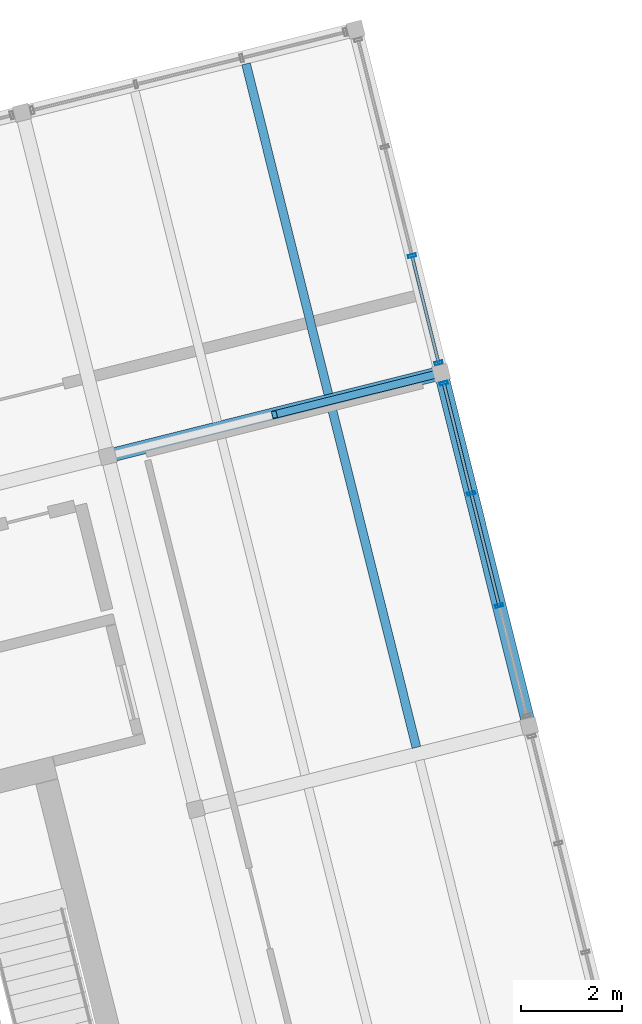
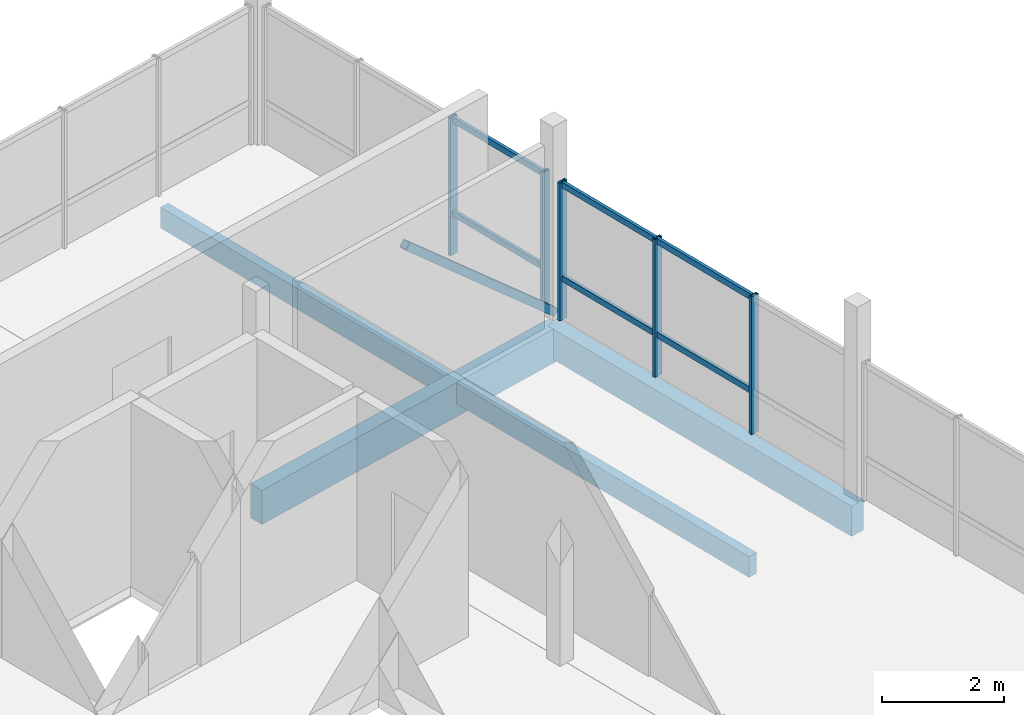
# One storey, part 18 of 25: 12 members, 4 beams, 2 elements without a shape of their own.
"""IFC4 building model written with IfcOpenShell, lengths in metres."""

from ifc_helpers import new_model, si_unit, direction, frame, origin, origin_2d, place, context, subcontext, project, spatial, rectangle, hollow_rectangle, extrude, material, layer, layer_set, material_profile, profile_set, type_object, element, aggregate, save


model = new_model("IFC4")

# Units and contexts
model_context = context("Model", 3, precision=1e-05, world=origin(), true_north=direction((0.0, 1.0)))
body_context = subcontext(model_context, "Body", "Model", "MODEL_VIEW")
ifc_project = project(units=[si_unit("LENGTHUNIT", "METRE"), si_unit("AREAUNIT", "SQUARE_METRE"), si_unit("VOLUMEUNIT", "CUBIC_METRE"), si_unit("PLANEANGLEUNIT", "RADIAN"), si_unit("MASSUNIT", "GRAM", prefix="KILO")], contexts=[model_context])

# Site, building, storey
site_placement = place(None, origin())
site = spatial("IfcSite", under=ifc_project, at=site_placement, CompositionType="ELEMENT")
building_placement = place(site_placement, origin())
building = spatial("IfcBuilding", under=site, at=building_placement, Name="Meriwether Solvik Hall", CompositionType="ELEMENT")
storey_placement = place(building_placement, frame((0.0, 0.0, 53.39990234375)))
storey = spatial("IfcBuildingStorey", under=building, at=storey_placement, Name="L13", CompositionType="ELEMENT", Elevation=53.39990234375)

# Beams
ifc_material_1 = material(Name="Glulam Douglas-Fir 24F-V8 GL28h", Category="wood")
ifc_material_profile_1 = material_profile(ifc_material_1, rectangle(XDim=0.27294921875, YDim=0.610107421875, at=origin_2d()), Name="GLB-273X610")
ifc_profile_set_1 = profile_set([ifc_material_profile_1], Name="Glulam Douglas-Fir 24F-V8 GL28h")
beam_type_1 = type_object("IfcBeamType", Name="BM-GL-273X610", PredefinedType="SPANDREL", material=ifc_profile_set_1)
beam_1_placement = place(storey_placement, frame((100.192138671875, 63.29931640625, -0.48486328125), z_axis=(-0.241937193493, 0.970291911955, 0.0), x_axis=(-0.970291911955, -0.241937193493, 0.0)))
element("IfcBeam", 1, at=beam_1_placement, inside=storey, type_object=beam_type_1, Name="Tower Girder T6:TC-TD (L13)", PredefinedType="SPANDREL", context=body_context, shape_type="SweptSolid", body=[
    extrude(rectangle(XDim=0.27294921875, YDim=0.610107421875, at=origin_2d()), origin(), (0.0, 0.0, 1.0), 7.199951171875),
])
ifc_material_2 = material(Name="Glulam Douglas-Fir 24F-V8 GL28h", Category="wood")
ifc_material_profile_2 = material_profile(ifc_material_2, rectangle(XDim=0.27294921875, YDim=0.68505859375, at=origin_2d()), Name="GLB-273X685")
ifc_profile_set_2 = profile_set([ifc_material_profile_2], Name="Glulam Douglas-Fir 24F-V8 GL28h")
beam_type_2 = type_object("IfcBeamType", Name="BM-GL-273X685", PredefinedType="BEAM", material=ifc_profile_set_2)
beam_2_placement = place(storey_placement, frame((91.852294921875, 68.640380859375, -0.5224609375), z_axis=(0.970296478685, 0.241918877831, 0.0), x_axis=(-0.241918877831, 0.970296478685, 0.0)))
element("IfcBeam", 2, at=beam_2_placement, inside=storey, type_object=beam_type_2, Name="Tower Girder TD:T5-T6 (L13)", PredefinedType="BEAM", context=body_context, shape_type="SweptSolid", body=[
    extrude(rectangle(XDim=0.27294921875, YDim=0.68505859375, at=origin_2d()), origin(), (0.0, 0.0, 1.0), 6.7998046875),
])

# Curtain wall, members
ifc_material_3 = material(Name="Thermally Broken Anodised Aluminium 6063-T6 and Low-E Glass", Category="aluminium")
ifc_layer_1 = layer(ifc_material_3, 0.179931640625)
ifc_layer_set_1 = layer_set([ifc_layer_1], Name="Thermally Broken Anodised Aluminium 6063-T6 and Low-E Glass")
curtain_wall_type_1 = type_object("IfcCurtainWallType", Name="CW-UNIT-G", PredefinedType="USERDEFINED", material=ifc_layer_set_1)
curtain_wall_1_placement = place(storey_placement, origin())
curtain_wall_1 = element("IfcCurtainWall", 3, at=curtain_wall_1_placement, inside=storey, type_object=curtain_wall_type_1, Name="Curtain Wall E1_B2 (L13)", ObjectType="UNITISED CURTAIN WALL", PredefinedType="USERDEFINED")
ifc_material_4 = material(Name="Anodised Aluminium 6063-T6", Category="aluminium")
ifc_material_profile_3 = material_profile(ifc_material_4, hollow_rectangle(XDim=0.06005859375, YDim=0.159912109375, WallThickness=0.00390625, at=origin_2d()), Name="CWM-60X160")
ifc_profile_set_3 = profile_set([ifc_material_profile_3], Name="Anodised Aluminium 6063-T6")
member_type_1 = type_object("IfcMemberType", Name="CW-MUL-60X160", PredefinedType="MULLION", material=ifc_profile_set_3)
member_1_placement = place(storey_placement, frame((98.50048828125, 70.083984375, 0.0), z_axis=(0.0, 0.0, 1.0), x_axis=(0.241921877598, -0.970295730764, 0.0)))
member_1 = element("IfcMember", 4, at=member_1_placement, type_object=member_type_1, Name="Curtain Wall Mullion 1", PredefinedType="MULLION", context=body_context, shape_type="SweptSolid", body=[
    extrude(hollow_rectangle(XDim=0.06005859375, YDim=0.159912109375, WallThickness=0.00390625, at=origin_2d()), origin(), (0.0, 0.0, 1.0), 2.77001953125),
])
member_2_placement = place(storey_placement, frame((99.044677734375, 67.90185546875, 0.0), z_axis=(0.0, 0.0, 1.0), x_axis=(0.241921877598, -0.970295730764, 0.0)))
member_2 = element("IfcMember", 5, at=member_2_placement, type_object=member_type_1, Name="Curtain Wall Mullion 2", PredefinedType="MULLION", context=body_context, shape_type="SweptSolid", body=[
    extrude(hollow_rectangle(XDim=0.06005859375, YDim=0.159912109375, WallThickness=0.00390625, at=origin_2d()), origin(), (0.0, 0.0, 1.0), 2.77001953125),
])
member_3_placement = place(storey_placement, frame((99.597900390625, 65.682861328125, 0.0), z_axis=(0.0, 0.0, 1.0), x_axis=(0.241921877598, -0.970295730764, 0.0)))
member_3 = element("IfcMember", 6, at=member_3_placement, type_object=member_type_1, Name="Curtain Wall Mullion 3", PredefinedType="MULLION", context=body_context, shape_type="SweptSolid", body=[
    extrude(hollow_rectangle(XDim=0.06005859375, YDim=0.159912109375, WallThickness=0.00390625, at=origin_2d()), origin(), (0.0, 0.0, 1.0), 2.77001953125),
])

ifc_material_5 = material(Name="Thermally Broken Anodised Aluminium 6063-T6 and Low-E Glass", Category="aluminium")
ifc_layer_2 = layer(ifc_material_5, 0.179931640625)
ifc_layer_set_2 = layer_set([ifc_layer_2], Name="Thermally Broken Anodised Aluminium 6063-T6 and Low-E Glass")
curtain_wall_type_2 = type_object("IfcCurtainWallType", Name="CW-UNIT-A", PredefinedType="USERDEFINED", material=ifc_layer_set_2)
curtain_wall_2_placement = place(storey_placement, origin())
curtain_wall_2 = element("IfcCurtainWall", 7, at=curtain_wall_2_placement, inside=storey, type_object=curtain_wall_type_2, Name="Curtain Wall E1_B3 (L13)", ObjectType="UNITISED CURTAIN WALL", PredefinedType="USERDEFINED")
member_4_placement = place(storey_placement, frame((97.8720703125, 72.604248046875, 0.0), z_axis=(0.0, 0.0, 1.0), x_axis=(0.241921960765, -0.970295710028, 0.0)))
member_4 = element("IfcMember", 8, at=member_4_placement, type_object=member_type_1, Name="Curtain Wall Mullion 3", PredefinedType="MULLION", context=body_context, shape_type="SweptSolid", body=[
    extrude(hollow_rectangle(XDim=0.06005859375, YDim=0.159912109375, WallThickness=0.00390625, at=origin_2d()), origin(), (0.0, 0.0, 1.0), 2.77001953125),
])
member_5_placement = place(storey_placement, frame((98.400146484375, 70.48681640625, 0.0), z_axis=(0.0, 0.0, 1.0), x_axis=(0.241921960765, -0.970295710028, 0.0)))
member_5 = element("IfcMember", 9, at=member_5_placement, type_object=member_type_1, Name="Curtain Wall Mullion 4", PredefinedType="MULLION", context=body_context, shape_type="SweptSolid", body=[
    extrude(hollow_rectangle(XDim=0.06005859375, YDim=0.159912109375, WallThickness=0.00390625, at=origin_2d()), origin(), (0.0, 0.0, 1.0), 2.77001953125),
])

# Member
ifc_material_6 = material(Name="Anodised Aluminium 6063-T6", Category="aluminium")
ifc_material_profile_4 = material_profile(ifc_material_6, hollow_rectangle(XDim=0.06005859375, YDim=0.1201171875, WallThickness=0.00390625, at=origin_2d()), Name="CWT-60X120")
ifc_profile_set_4 = profile_set([ifc_material_profile_4], Name="Anodised Aluminium 6063-T6")
member_type_2 = type_object("IfcMemberType", Name="CW-TRN-60X120", PredefinedType="USERDEFINED", material=ifc_profile_set_4)
member_6_placement = place(storey_placement, frame((98.50048828125, 70.083984375, 0.8310546875), z_axis=(0.241973642025, -0.970282822978, 0.0), x_axis=(0.970282822978, 0.241973642025, 0.0)))
member_6 = element("IfcMember", 10, at=member_6_placement, type_object=member_type_2, Name="Curtain Wall Transom 1-sill", ObjectType="TRANSOM", PredefinedType="USERDEFINED", context=body_context, shape_type="SweptSolid", body=[
    extrude(hollow_rectangle(XDim=0.06005859375, YDim=0.1201171875, WallThickness=0.00390625, at=origin_2d()), origin(), (0.0, 0.0, 1.0), 2.2490234375),
])

member_7_placement = place(storey_placement, frame((98.50048828125, 70.083984375, 2.710205078125), z_axis=(0.241973642025, -0.970282822978, 0.0), x_axis=(0.970282822978, 0.241973642025, 0.0)))
member_7 = element("IfcMember", 11, at=member_7_placement, type_object=member_type_2, Name="Curtain Wall Transom 1-head", ObjectType="TRANSOM", PredefinedType="USERDEFINED", context=body_context, shape_type="SweptSolid", body=[
    extrude(hollow_rectangle(XDim=0.06005859375, YDim=0.1201171875, WallThickness=0.00390625, at=origin_2d()), origin(), (0.0, 0.0, 1.0), 2.2490234375),
])

member_8_placement = place(storey_placement, frame((99.044677734375, 67.90185546875, 0.8310546875), z_axis=(0.241907601634, -0.97029929005, 0.0), x_axis=(0.97029929005, 0.241907601634, 0.0)))
member_8 = element("IfcMember", 12, at=member_8_placement, type_object=member_type_2, Name="Curtain Wall Transom 2-sill", ObjectType="TRANSOM", PredefinedType="USERDEFINED", context=body_context, shape_type="SweptSolid", body=[
    extrude(hollow_rectangle(XDim=0.06005859375, YDim=0.1201171875, WallThickness=0.00390625, at=origin_2d()), origin(), (0.0, 0.0, 1.0), 2.286865234375),
])

member_9_placement = place(storey_placement, frame((99.044677734375, 67.90185546875, 2.710205078125), z_axis=(0.241907601634, -0.97029929005, 0.0), x_axis=(0.97029929005, 0.241907601634, 0.0)))
member_9 = element("IfcMember", 13, at=member_9_placement, type_object=member_type_2, Name="Curtain Wall Transom 2-head", ObjectType="TRANSOM", PredefinedType="USERDEFINED", context=body_context, shape_type="SweptSolid", body=[
    extrude(hollow_rectangle(XDim=0.06005859375, YDim=0.1201171875, WallThickness=0.00390625, at=origin_2d()), origin(), (0.0, 0.0, 1.0), 2.286865234375),
])

aggregate(curtain_wall_1, [member_1, member_2, member_3, member_6, member_7, member_8, member_9])

member_10_placement = place(storey_placement, frame((97.8720703125, 72.604248046875, 0.8310546875), z_axis=(0.241982798004, -0.970280539571, 0.0), x_axis=(0.970280539571, 0.241982798004, 0.0)))
member_10 = element("IfcMember", 14, at=member_10_placement, type_object=member_type_2, Name="Curtain Wall Transom 3-sill", ObjectType="TRANSOM", PredefinedType="USERDEFINED", context=body_context, shape_type="SweptSolid", body=[
    extrude(hollow_rectangle(XDim=0.06005859375, YDim=0.1201171875, WallThickness=0.00390625, at=origin_2d()), origin(), (0.0, 0.0, 1.0), 2.182373046875),
])

member_11_placement = place(storey_placement, frame((97.8720703125, 72.604248046875, 2.710205078125), z_axis=(0.241982798004, -0.970280539571, 0.0), x_axis=(0.970280539571, 0.241982798004, 0.0)))
member_11 = element("IfcMember", 15, at=member_11_placement, type_object=member_type_2, Name="Curtain Wall Transom 3-head", ObjectType="TRANSOM", PredefinedType="USERDEFINED", context=body_context, shape_type="SweptSolid", body=[
    extrude(hollow_rectangle(XDim=0.06005859375, YDim=0.1201171875, WallThickness=0.00390625, at=origin_2d()), origin(), (0.0, 0.0, 1.0), 2.182373046875),
])

aggregate(curtain_wall_2, [member_4, member_5, member_10, member_11])

# Beams
ifc_material_7 = material(Name="Glulam Douglas-Fir 24F-V8 GL28h", Category="wood")
ifc_material_profile_5 = material_profile(ifc_material_7, rectangle(XDim=0.175048828125, YDim=0.419921875, at=origin_2d()), Name="GLJ-175X420")
ifc_profile_set_5 = profile_set([ifc_material_profile_5], Name="Glulam Douglas-Fir 24F-V8 GL28h")
beam_type_3 = type_object("IfcBeamType", Name="JST-GL-175X420", PredefinedType="JOIST", material=ifc_profile_set_5)
beam_3_placement = place(storey_placement, frame((97.9609375, 62.87841796875, -0.389892578125), z_axis=(-0.241922788949, 0.970295503539, 0.0), x_axis=(-0.970295503539, -0.241922788949, 0.0)))
element("IfcBeam", 16, at=beam_3_placement, inside=storey, type_object=beam_type_3, Name="Glulam Floor Joist T5/TC-J2 (L13)", PredefinedType="JOIST", context=body_context, shape_type="SweptSolid", body=[
    extrude(rectangle(XDim=0.175048828125, YDim=0.419921875, at=origin_2d()), origin(), (0.0, 0.0, 1.0), 6.93701171875),
])
beam_4_placement = place(storey_placement, frame((96.218994140625, 69.86474609375, -0.389892578125), z_axis=(-0.241896058636, 0.970302167789, 0.0), x_axis=(-0.970302167789, -0.241896058636, 0.0)))
element("IfcBeam", 17, at=beam_4_placement, inside=storey, type_object=beam_type_3, Name="Glulam Floor Joist T5/TD-J2 (L13)", PredefinedType="JOIST", context=body_context, shape_type="SweptSolid", body=[
    extrude(rectangle(XDim=0.175048828125, YDim=0.419921875, at=origin_2d()), origin(), (0.0, 0.0, 1.0), 6.73681640625),
])

# Member
ifc_material_8 = material(Name="Steel A500 Grade C", Category="steel")
ifc_material_profile_6 = material_profile(ifc_material_8, hollow_rectangle(XDim=0.152099609375, YDim=0.152099609375, WallThickness=0.009521484375, at=origin_2d()), Name="HSS152X152X9.5")
ifc_profile_set_6 = profile_set([ifc_material_profile_6], Name="Steel A500 Grade C")
member_type_3 = type_object("IfcMemberType", Name="MEM-BR-HSS152", PredefinedType="BRACE", material=ifc_profile_set_6)
member_12_placement = place(storey_placement, frame((98.4501953125, 70.285400390625, 0.050048828125), z_axis=(-0.729129081227, -0.181796615945, 0.659788430741), x_axis=(0.241927305891, -0.970294377323, 0.0)))
element("IfcMember", 18, at=member_12_placement, inside=storey, type_object=member_type_3, Name="Tower Chevron Brace L13-B4B", PredefinedType="BRACE", context=body_context, shape_type="SweptSolid", body=[
    extrude(hollow_rectangle(XDim=0.152099609375, YDim=0.152099609375, WallThickness=0.009521484375, at=origin_2d()), origin(), (0.0, 0.0, 1.0), 4.5244140625),
])

save(model, "model.ifc")
